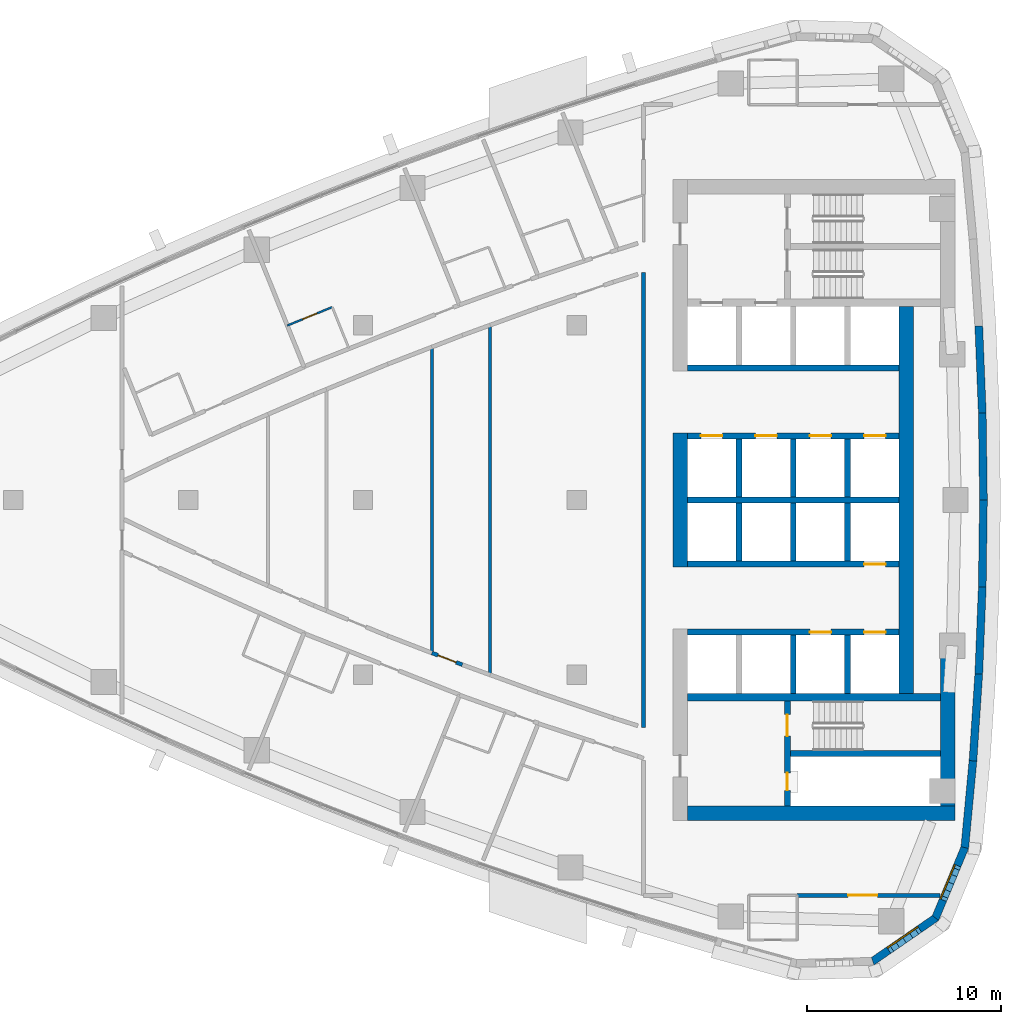
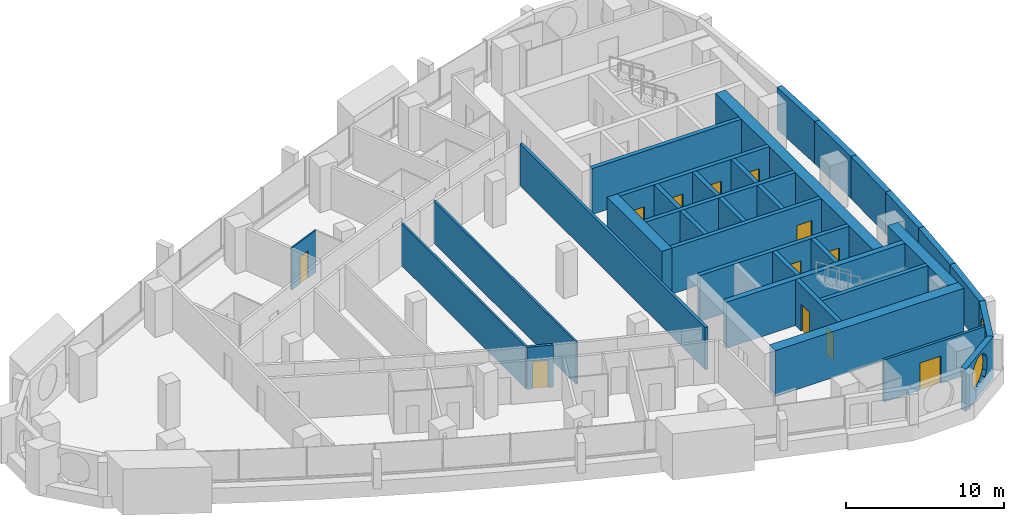
# One storey, part 11 of 17: 34 walls, 12 doors, 2 windows, 14 openings.
"""IFC4 building model written with IfcOpenShell, lengths in metres."""

import ifcopenshell
import ifcopenshell.guid

model = None  # the IFC model being written
_history = None  # IfcOwnerHistory: only IFC2X3 demands one
_inside = {}  # id of a spatial element -> (the spatial element, [elements in it])
_under = {}  # id of a project, library or spatial element -> (it, [spatial elements below it])
_declared = {}  # id of a project -> (the project, [libraries it declares])
_typed = {}  # id of a type object -> (the type object, [elements of that type])
_made_of = {}  # id of a material, layer set ... -> (it, [elements and type objects made of it])


def new_model(schema):
    """Start an empty IFC model of exactly this schema.

    Asked for "IFC4X3", IfcOpenShell would pick the latest addendum, in which some entities
    have other attributes; the version numbers below select the first issue.
    IFC2X3 requires an IfcOwnerHistory on every rooted entity: one is made here for all.
    """
    global model, _history
    if schema == "IFC4X3":
        model = ifcopenshell.file(schema_version=(4, 3, 0, 0))
    else:
        model = ifcopenshell.file(schema=schema)
    _inside.clear()
    _under.clear()
    _declared.clear()
    _typed.clear()
    _made_of.clear()
    _history = None
    if model.schema == "IFC2X3":
        org = make("IfcOrganization", Name="unknown")
        user = make(
            "IfcPersonAndOrganization",
            ThePerson=make("IfcPerson", FamilyName="unknown"),
            TheOrganization=org,
        )
        app = make(
            "IfcApplication",
            ApplicationDeveloper=org,
            Version="unknown",
            ApplicationFullName="unknown",
            ApplicationIdentifier="unknown",
        )
        _history = make(
            "IfcOwnerHistory",
            OwningUser=user,
            OwningApplication=app,
            ChangeAction="ADDED",
            CreationDate=0,
        )
    return model


def make(cls, **values):
    """One entity of the class cls with the attributes given. An attribute that is None is left unset."""
    return model.create_entity(
        cls, **{name: value for name, value in values.items() if value is not None}
    )


def rooted(cls, **values):
    """An entity with a GlobalId (a new one), such as an element, a storey or a relation."""
    return make(cls, GlobalId=ifcopenshell.guid.new(), OwnerHistory=_history, **values)


def si_unit(unit_type, name, prefix=None):
    """IfcSIUnit, for example si_unit("LENGTHUNIT", "METRE", prefix="MILLI")."""
    return make("IfcSIUnit", UnitType=unit_type, Prefix=prefix, Name=name)


def assignment(units):
    """IfcUnitAssignment: the units of a project."""
    return None if units is None else make("IfcUnitAssignment", Units=units)


def point(xyz):
    """IfcCartesianPoint."""
    return None if xyz is None else make("IfcCartesianPoint", Coordinates=xyz)


def direction(xyz):
    """IfcDirection."""
    return None if xyz is None else make("IfcDirection", DirectionRatios=xyz)


def frame(location, z_axis=None, x_axis=None):
    """IfcAxis2Placement3D, a coordinate frame: its origin and axes. An axis left out is left unset."""
    return make(
        "IfcAxis2Placement3D",
        Location=point(location),
        Axis=direction(z_axis),
        RefDirection=direction(x_axis),
    )


def frame_2d(location, x_axis=None):
    """IfcAxis2Placement2D, a coordinate frame in the plane: its origin and x axis."""
    return make(
        "IfcAxis2Placement2D", Location=point(location), RefDirection=direction(x_axis)
    )


def origin():
    """The frame at (0, 0, 0) with its axes left unset."""
    return frame((0.0, 0.0, 0.0))


def place(relative_to, where):
    """IfcLocalPlacement: puts the frame where relative to a parent placement (None: the world)."""
    return make(
        "IfcLocalPlacement", PlacementRelTo=relative_to, RelativePlacement=where
    )


def context(
    kind, dimensions, precision=None, world=None, true_north=None, identifier=None
):
    """IfcGeometricRepresentationContext, for example the 3D "Model" context."""
    return make(
        "IfcGeometricRepresentationContext",
        ContextIdentifier=identifier,
        ContextType=kind,
        CoordinateSpaceDimension=dimensions,
        Precision=precision,
        WorldCoordinateSystem=world,
        TrueNorth=true_north,
    )


def subcontext(parent, identifier, kind, view, scale=None):
    """IfcGeometricRepresentationSubContext, for example "Body" below "Model"."""
    return make(
        "IfcGeometricRepresentationSubContext",
        ContextIdentifier=identifier,
        ContextType=kind,
        ParentContext=parent,
        TargetScale=scale,
        TargetView=view,
    )


def project(units=None, contexts=None):
    """IfcProject with its units and contexts."""
    return rooted(
        "IfcProject",
        Name="project",
        RepresentationContexts=contexts,
        UnitsInContext=assignment(units),
    )


def spatial(cls, under=None, at=None, **own):
    """A site, building, storey or space (cls), placed at a placement, below another one or the project."""
    s = rooted(cls, ObjectPlacement=at, **own)
    if under is not None:
        _under.setdefault(under.id(), (under, []))[1].append(s)
    return s


def polyline(points):
    """IfcPolyline through the points."""
    return make("IfcPolyline", Points=[point(p) for p in points])


def profile(cls, at=None, kind="AREA", **sizes):
    """A parametric profile (cls). Its sizes go by their IFC names, for example OverallWidth=200.0."""
    return make(cls, ProfileType=kind, Position=at, **sizes)


def rectangle(**sizes):
    """IfcRectangleProfileDef."""
    return profile("IfcRectangleProfileDef", **sizes)


def outline(outer, holes=None, kind="AREA"):
    """IfcArbitraryClosedProfileDef: a profile drawn as a closed curve; with holes, ...WithVoids."""
    if holes is None:
        return make("IfcArbitraryClosedProfileDef", ProfileType=kind, OuterCurve=outer)
    return make(
        "IfcArbitraryProfileDefWithVoids",
        ProfileType=kind,
        OuterCurve=outer,
        InnerCurves=holes,
    )


def extrude(swept, where, along, depth):
    """IfcExtrudedAreaSolid: the profile swept, set in the frame where, extruded along a direction by depth."""
    return make(
        "IfcExtrudedAreaSolid",
        SweptArea=swept,
        Position=where,
        ExtrudedDirection=direction(along),
        Depth=depth,
    )


def shape(context_of_items, identifier, shape_type, items):
    """IfcShapeRepresentation: the items that make up one representation, for example the "Body"."""
    return make(
        "IfcShapeRepresentation",
        ContextOfItems=context_of_items,
        RepresentationIdentifier=identifier,
        RepresentationType=shape_type,
        Items=items,
    )


def material(Name=None, Category=None):
    """IfcMaterial."""
    return make("IfcMaterial", Name=Name, Category=Category)


def layer(
    of_material, thickness, ventilated=None, Name=None, Category=None, Priority=None
):
    """IfcMaterialLayer: one layer of a wall or slab, of a material (None: an air gap)."""
    return make(
        "IfcMaterialLayer",
        Material=of_material,
        LayerThickness=thickness,
        IsVentilated=ventilated,
        Name=Name,
        Category=Category,
        Priority=Priority,
    )


def layer_set(layers, Name=None):
    """IfcMaterialLayerSet."""
    return make("IfcMaterialLayerSet", MaterialLayers=layers, LayerSetName=Name)


def made_of(thing, what):
    """Note that an element or type object is made of a material, layer set ...; save() writes the relation."""
    if what is not None:
        _made_of.setdefault(what.id(), (what, []))[1].append(thing)
    return thing


def type_object(cls, material=None, **own):
    """A type object (cls), such as IfcWallType, which elements share."""
    return made_of(rooted(cls, **own), material)


def element(
    cls,
    number,
    at=None,
    inside=None,
    cuts=None,
    type_object=None,
    material=None,
    context=None,
    identifier="Body",
    shape_type=None,
    held_by="IfcProductDefinitionShape",
    body=None,
    shapes=None,
    **own,
):
    """One element of the class cls, such as IfcWall. Its Tag is "e" and its number.

    at: its placement. inside: the storey or other place that contains it. cuts: it is an
    opening in that element (IfcRelVoidsElement). A single representation is given by context,
    identifier, shape_type and body (its items); several are given by shapes. held_by: the class
    of the entity that holds the representations. save() writes the other relations.
    """
    e = rooted(cls, Tag="e%d" % number, ObjectPlacement=at, **own)
    if body is not None:
        shapes = [shape(context, identifier, shape_type, body)]
    if shapes is not None:
        e.Representation = make(held_by, Representations=shapes)
    if inside is not None:
        _inside.setdefault(inside.id(), (inside, []))[1].append(e)
    if cuts is not None:
        rooted(
            "IfcRelVoidsElement", RelatingBuildingElement=cuts, RelatedOpeningElement=e
        )
    if type_object is not None:
        _typed.setdefault(type_object.id(), (type_object, []))[1].append(e)
    return made_of(e, material)


def fill(opening, filler):
    """IfcRelFillsElement: the door or window that sits in an opening."""
    return rooted(
        "IfcRelFillsElement",
        RelatingOpeningElement=opening,
        RelatedBuildingElement=filler,
    )


def aggregate(whole, parts):
    """IfcRelAggregates: a whole, such as a stair, and the parts it consists of."""
    return rooted("IfcRelAggregates", RelatingObject=whole, RelatedObjects=parts)


def save(model, path):
    """Write the relations noted so far, then the file.

    IfcRelAggregates (storeys below a building ...), IfcRelContainedInSpatialStructure (elements
    in a storey), IfcRelDefinesByType, IfcRelAssociatesMaterial and IfcRelDeclares: one each for
    every whole, place, type object, material and project.
    """
    for whole, parts in _under.values():
        aggregate(whole, parts)
    for where, things in _inside.values():
        rooted(
            "IfcRelContainedInSpatialStructure",
            RelatedElements=things,
            RelatingStructure=where,
        )
    for kind, things in _typed.values():
        rooted("IfcRelDefinesByType", RelatedObjects=things, RelatingType=kind)
    for what, things in _made_of.values():
        rooted("IfcRelAssociatesMaterial", RelatedObjects=things, RelatingMaterial=what)
    for by, libraries in _declared.values():
        rooted("IfcRelDeclares", RelatingContext=by, RelatedDefinitions=libraries)
    model.write(path)


model = new_model("IFC4")

# Units and contexts
model_context = context("Model", 3, precision=1e-05, world=origin(), true_north=direction((0.0, 1.0)))
body_context = subcontext(model_context, "Body", "Model", "MODEL_VIEW")
ifc_project = project(units=[si_unit("LENGTHUNIT", "METRE"), si_unit("AREAUNIT", "SQUARE_METRE"), si_unit("VOLUMEUNIT", "CUBIC_METRE"), si_unit("PLANEANGLEUNIT", "RADIAN"), si_unit("MASSUNIT", "GRAM", prefix="KILO")], contexts=[model_context])

# Site, building, storey
site_placement = place(None, origin())
site = spatial("IfcSite", under=ifc_project, at=site_placement, CompositionType="ELEMENT")
building_placement = place(site_placement, origin())
building = spatial("IfcBuilding", under=site, at=building_placement, Name="Ostrand Prow Hotel Tower", CompositionType="ELEMENT")
storey_placement = place(building_placement, frame((0.0, 0.0, 175.5)))
storey = spatial("IfcBuildingStorey", under=building, at=storey_placement, Name="L43", CompositionType="ELEMENT", Elevation=175.5)

# Wall
ifc_material_1 = material(Name="Concrete C60/75", Category="concrete")
ifc_layer_1 = layer(ifc_material_1, 0.300048828125)
ifc_layer_set_1 = layer_set([ifc_layer_1], Name="Concrete C60/75")
wall_type_1 = type_object("IfcWallType", Name="Core wall 300 C60/75", PredefinedType="SHEAR", material=ifc_layer_set_1)
wall_1_placement = place(storey_placement, frame((50.699951171875, 0.0, 0.0), z_axis=(0.0, 0.0, 1.0), x_axis=(1.0, 0.0, 0.0)))
element("IfcWall", 1, at=wall_1_placement, inside=storey, type_object=wall_type_1, Name="Core wall PW-C", PredefinedType="SHEAR", context=body_context, shape_type="SweptSolid", body=[
    extrude(rectangle(XDim=10.900146484375, YDim=0.300048828125, at=frame_2d((5.4501953125, 0.0))), origin(), (0.0, 0.0, 1.0), 3.550048828125),
])

# Wall, openings, doors
wall_2_placement = place(storey_placement, frame((50.699951171875, 3.300048828125, 0.0), z_axis=(0.0, 0.0, 1.0), x_axis=(1.0, 0.0, 0.0)))
wall_2 = element("IfcWall", 2, at=wall_2_placement, inside=storey, type_object=wall_type_1, Name="Core wall PW-L1-N", PredefinedType="SHEAR", context=body_context, shape_type="SweptSolid", body=[
    extrude(rectangle(XDim=10.900146484375, YDim=0.300048828125, at=frame_2d((5.4501953125, 0.0))), origin(), (0.0, 0.0, 1.0), 3.550048828125),
])
opening_1_placement = place(wall_2_placement, frame((0.699951171875, 0.0, 0.0)))
opening_1 = element("IfcOpeningElement", 3, at=opening_1_placement, cuts=wall_2, Name="Opening LD", PredefinedType="OPENING", context=body_context, shape_type="SweptSolid", body=[
    extrude(rectangle(XDim=1.10009765625, YDim=2.10009765625, at=frame_2d((0.550048828125, 1.050048828125))), frame((0.0, 0.159912109375, 0.0), z_axis=(0.0, -1.0, 0.0), x_axis=(1.0, 0.0, 0.0)), (0.0, 0.0, 1.0), 0.320068359375),
])
opening_2_placement = place(wall_2_placement, frame((3.5, 0.0, 0.0)))
opening_2 = element("IfcOpeningElement", 4, at=opening_2_placement, cuts=wall_2, Name="Opening LD", PredefinedType="OPENING", context=body_context, shape_type="SweptSolid", body=[
    extrude(rectangle(XDim=1.10009765625, YDim=2.10009765625, at=frame_2d((0.550048828125, 1.050048828125))), frame((0.0, 0.159912109375, 0.0), z_axis=(0.0, -1.0, 0.0), x_axis=(1.0, 0.0, 0.0)), (0.0, 0.0, 1.0), 0.320068359375),
])
opening_3_placement = place(wall_2_placement, frame((6.300048828125, 0.0, 0.0)))
opening_3 = element("IfcOpeningElement", 5, at=opening_3_placement, cuts=wall_2, Name="Opening LD", PredefinedType="OPENING", context=body_context, shape_type="SweptSolid", body=[
    extrude(rectangle(XDim=1.10009765625, YDim=2.10009765625, at=frame_2d((0.550048828125, 1.050048828125))), frame((0.0, 0.159912109375, 0.0), z_axis=(0.0, -1.0, 0.0), x_axis=(1.0, 0.0, 0.0)), (0.0, 0.0, 1.0), 0.320068359375),
])
opening_4_placement = place(wall_2_placement, frame((9.10009765625, 0.0, 0.0)))
opening_4 = element("IfcOpeningElement", 6, at=opening_4_placement, cuts=wall_2, Name="Opening LD", PredefinedType="OPENING", context=body_context, shape_type="SweptSolid", body=[
    extrude(rectangle(XDim=1.10009765625, YDim=2.10009765625, at=frame_2d((0.550048828125, 1.050048828125))), frame((0.0, 0.159912109375, 0.0), z_axis=(0.0, -1.0, 0.0), x_axis=(1.0, 0.0, 0.0)), (0.0, 0.0, 1.0), 0.320068359375),
])
ifc_material_2 = material(Name="Stainless steel door", Category="steel")
door_type_1 = type_object("IfcDoorType", Name="Lift landing door 1100", OperationType="DOUBLE_DOOR_SLIDING", PredefinedType="DOOR", material=ifc_material_2)
door_1_placement = place(opening_1_placement, origin())
door_1 = element("IfcDoor", 7, at=door_1_placement, inside=storey, type_object=door_type_1, Name="LIFT LANDING DOOR", OperationType="DOUBLE_DOOR_SLIDING", OverallHeight=2.10009765625, OverallWidth=1.10009765625, PredefinedType="DOOR", context=body_context, shape_type="SweptSolid", body=[
    extrude(rectangle(XDim=1.10009765625, YDim=2.10009765625, at=frame_2d((0.550048828125, 1.050048828125))), frame((0.0, 0.02490234375, 0.0), z_axis=(0.0, -1.0, 0.0), x_axis=(1.0, 0.0, 0.0)), (0.0, 0.0, 1.0), 0.050048828125),
])
fill(opening_1, door_1)
door_2_placement = place(opening_2_placement, origin())
door_2 = element("IfcDoor", 8, at=door_2_placement, inside=storey, type_object=door_type_1, Name="LIFT LANDING DOOR", OperationType="DOUBLE_DOOR_SLIDING", OverallHeight=2.10009765625, OverallWidth=1.10009765625, PredefinedType="DOOR", context=body_context, shape_type="SweptSolid", body=[
    extrude(rectangle(XDim=1.10009765625, YDim=2.10009765625, at=frame_2d((0.550048828125, 1.050048828125))), frame((0.0, 0.02490234375, 0.0), z_axis=(0.0, -1.0, 0.0), x_axis=(1.0, 0.0, 0.0)), (0.0, 0.0, 1.0), 0.050048828125),
])
fill(opening_2, door_2)
door_3_placement = place(opening_3_placement, origin())
door_3 = element("IfcDoor", 9, at=door_3_placement, inside=storey, type_object=door_type_1, Name="LIFT LANDING DOOR", OperationType="DOUBLE_DOOR_SLIDING", OverallHeight=2.10009765625, OverallWidth=1.10009765625, PredefinedType="DOOR", context=body_context, shape_type="SweptSolid", body=[
    extrude(rectangle(XDim=1.10009765625, YDim=2.10009765625, at=frame_2d((0.550048828125, 1.050048828125))), frame((0.0, 0.02490234375, 0.0), z_axis=(0.0, -1.0, 0.0), x_axis=(1.0, 0.0, 0.0)), (0.0, 0.0, 1.0), 0.050048828125),
])
fill(opening_3, door_3)
door_4_placement = place(opening_4_placement, origin())
door_4 = element("IfcDoor", 10, at=door_4_placement, inside=storey, type_object=door_type_1, Name="LIFT LANDING DOOR", OperationType="DOUBLE_DOOR_SLIDING", OverallHeight=2.10009765625, OverallWidth=1.10009765625, PredefinedType="DOOR", context=body_context, shape_type="SweptSolid", body=[
    extrude(rectangle(XDim=1.10009765625, YDim=2.10009765625, at=frame_2d((0.550048828125, 1.050048828125))), frame((0.0, 0.02490234375, 0.0), z_axis=(0.0, -1.0, 0.0), x_axis=(1.0, 0.0, 0.0)), (0.0, 0.0, 1.0), 0.050048828125),
])
fill(opening_4, door_4)

# Walls
wall_3_placement = place(storey_placement, frame((50.699951171875, 6.800048828125, 0.0), z_axis=(0.0, 0.0, 1.0), x_axis=(1.0, 0.0, 0.0)))
element("IfcWall", 11, at=wall_3_placement, inside=storey, type_object=wall_type_1, Name="Core wall PW-L2-N", PredefinedType="SHEAR", context=body_context, shape_type="SweptSolid", body=[
    extrude(rectangle(XDim=10.900146484375, YDim=0.300048828125, at=frame_2d((5.4501953125, 0.0))), origin(), (0.0, 0.0, 1.0), 3.550048828125),
])
for number, where, z_axis, x_axis, name in (
    (12, (53.35009765625, 0.14990234375, 0.0), (0.0, 0.0, 1.0), (0.0, 1.0, 0.0), "Core wall PW-R1-NB"),
    (13, (56.14990234375, 0.14990234375, 0.0), (0.0, 0.0, 1.0), (0.0, 1.0, 0.0), "Core wall PW-R2-NB"),
    (14, (58.949951171875, 0.14990234375, 0.0), (0.0, 0.0, 1.0), (0.0, 1.0, 0.0), "Core wall PW-R3-NB"),
):
    element("IfcWall", number, at=place(storey_placement, frame(where, z_axis=z_axis, x_axis=x_axis)), inside=storey, type_object=wall_type_1, Name=name, PredefinedType="SHEAR", context=body_context, shape_type="SweptSolid", body=[
        extrude(rectangle(XDim=3.0, YDim=0.300048828125, at=frame_2d((1.5, 0.0))), origin(), (0.0, 0.0, 1.0), 3.550048828125),
    ])

# Wall, opening, door
wall_4_placement = place(storey_placement, frame((50.699951171875, -3.300048828125, 0.0), z_axis=(0.0, 0.0, 1.0), x_axis=(1.0, 0.0, 0.0)))
wall_4 = element("IfcWall", 15, at=wall_4_placement, inside=storey, type_object=wall_type_1, Name="Core wall PW-L1-S", PredefinedType="SHEAR", context=body_context, shape_type="SweptSolid", body=[
    extrude(rectangle(XDim=10.900146484375, YDim=0.300048828125, at=frame_2d((5.4501953125, 0.0))), origin(), (0.0, 0.0, 1.0), 3.550048828125),
])
opening_5_placement = place(wall_4_placement, frame((9.10009765625, 0.0, 0.0)))
opening_5 = element("IfcOpeningElement", 16, at=opening_5_placement, cuts=wall_4, Name="Opening LD", PredefinedType="OPENING", context=body_context, shape_type="SweptSolid", body=[
    extrude(rectangle(XDim=1.10009765625, YDim=2.10009765625, at=frame_2d((0.550048828125, 1.050048828125))), frame((0.0, 0.159912109375, 0.0), z_axis=(0.0, -1.0, 0.0), x_axis=(1.0, 0.0, 0.0)), (0.0, 0.0, 1.0), 0.320068359375),
])
door_5_placement = place(opening_5_placement, origin())
door_5 = element("IfcDoor", 17, at=door_5_placement, inside=storey, type_object=door_type_1, Name="LIFT LANDING DOOR", OperationType="DOUBLE_DOOR_SLIDING", OverallHeight=2.10009765625, OverallWidth=1.10009765625, PredefinedType="DOOR", context=body_context, shape_type="SweptSolid", body=[
    extrude(rectangle(XDim=1.10009765625, YDim=2.10009765625, at=frame_2d((0.550048828125, 1.050048828125))), frame((0.0, 0.02490234375, 0.0), z_axis=(0.0, -1.0, 0.0), x_axis=(1.0, 0.0, 0.0)), (0.0, 0.0, 1.0), 0.050048828125),
])
fill(opening_5, door_5)

# Wall, openings, doors
wall_5_placement = place(storey_placement, frame((50.699951171875, -6.800048828125, 0.0), z_axis=(0.0, 0.0, 1.0), x_axis=(1.0, 0.0, 0.0)))
wall_5 = element("IfcWall", 18, at=wall_5_placement, inside=storey, type_object=wall_type_1, Name="Core wall PW-L2-S", PredefinedType="SHEAR", context=body_context, shape_type="SweptSolid", body=[
    extrude(rectangle(XDim=10.900146484375, YDim=0.300048828125, at=frame_2d((5.4501953125, 0.0))), origin(), (0.0, 0.0, 1.0), 3.550048828125),
])
opening_6_placement = place(wall_5_placement, frame((6.300048828125, 0.0, 0.0)))
opening_6 = element("IfcOpeningElement", 19, at=opening_6_placement, cuts=wall_5, Name="Opening LD", PredefinedType="OPENING", context=body_context, shape_type="SweptSolid", body=[
    extrude(rectangle(XDim=1.10009765625, YDim=2.10009765625, at=frame_2d((0.550048828125, 1.050048828125))), frame((0.0, 0.159912109375, 0.0), z_axis=(0.0, -1.0, 0.0), x_axis=(1.0, 0.0, 0.0)), (0.0, 0.0, 1.0), 0.320068359375),
])
opening_7_placement = place(wall_5_placement, frame((9.10009765625, 0.0, 0.0)))
opening_7 = element("IfcOpeningElement", 20, at=opening_7_placement, cuts=wall_5, Name="Opening LD", PredefinedType="OPENING", context=body_context, shape_type="SweptSolid", body=[
    extrude(rectangle(XDim=1.10009765625, YDim=2.10009765625, at=frame_2d((0.550048828125, 1.050048828125))), frame((0.0, 0.159912109375, 0.0), z_axis=(0.0, -1.0, 0.0), x_axis=(1.0, 0.0, 0.0)), (0.0, 0.0, 1.0), 0.320068359375),
])
door_6_placement = place(opening_6_placement, origin())
door_6 = element("IfcDoor", 21, at=door_6_placement, inside=storey, type_object=door_type_1, Name="LIFT LANDING DOOR", OperationType="DOUBLE_DOOR_SLIDING", OverallHeight=2.10009765625, OverallWidth=1.10009765625, PredefinedType="DOOR", context=body_context, shape_type="SweptSolid", body=[
    extrude(rectangle(XDim=1.10009765625, YDim=2.10009765625, at=frame_2d((0.550048828125, 1.050048828125))), frame((0.0, 0.02490234375, 0.0), z_axis=(0.0, -1.0, 0.0), x_axis=(1.0, 0.0, 0.0)), (0.0, 0.0, 1.0), 0.050048828125),
])
fill(opening_6, door_6)
door_7_placement = place(opening_7_placement, origin())
door_7 = element("IfcDoor", 22, at=door_7_placement, inside=storey, type_object=door_type_1, Name="LIFT LANDING DOOR", OperationType="DOUBLE_DOOR_SLIDING", OverallHeight=2.10009765625, OverallWidth=1.10009765625, PredefinedType="DOOR", context=body_context, shape_type="SweptSolid", body=[
    extrude(rectangle(XDim=1.10009765625, YDim=2.10009765625, at=frame_2d((0.550048828125, 1.050048828125))), frame((0.0, 0.02490234375, 0.0), z_axis=(0.0, -1.0, 0.0), x_axis=(1.0, 0.0, 0.0)), (0.0, 0.0, 1.0), 0.050048828125),
])
fill(opening_7, door_7)

# Walls
for number, where, z_axis, x_axis, name in (
    (23, (53.35009765625, -3.14990234375, 0.0), (0.0, 0.0, 1.0), (0.0, 1.0, 0.0), "Core wall PW-R1-SB"),
    (24, (56.14990234375, -3.14990234375, 0.0), (0.0, 0.0, 1.0), (0.0, 1.0, 0.0), "Core wall PW-R2-SB"),
    (25, (56.14990234375, -9.949951171875, 0.0), (0.0, 0.0, 1.0), (0.0, 1.0, 0.0), "Core wall PW-R2-SA"),
    (26, (58.949951171875, -3.14990234375, 0.0), (0.0, 0.0, 1.0), (0.0, 1.0, 0.0), "Core wall PW-R3-SB"),
    (27, (58.949951171875, -9.949951171875, 0.0), (0.0, 0.0, 1.0), (0.0, 1.0, 0.0), "Core wall PW-R3-SA"),
):
    element("IfcWall", number, at=place(storey_placement, frame(where, z_axis=z_axis, x_axis=x_axis)), inside=storey, type_object=wall_type_1, Name=name, PredefinedType="SHEAR", context=body_context, shape_type="SweptSolid", body=[
        extrude(rectangle(XDim=3.0, YDim=0.300048828125, at=frame_2d((1.5, 0.0))), origin(), (0.0, 0.0, 1.0), 3.550048828125),
    ])

# Wall, openings, doors
wall_6_placement = place(storey_placement, frame((55.85009765625, -15.75, 0.0), z_axis=(0.0, 0.0, 1.0), x_axis=(0.0, 1.0, 0.0)))
wall_6 = element("IfcWall", 28, at=wall_6_placement, inside=storey, type_object=wall_type_1, Name="Core wall PW-VS", PredefinedType="SHEAR", context=body_context, shape_type="SweptSolid", body=[
    extrude(rectangle(XDim=5.39990234375, YDim=0.300048828125, at=frame_2d((2.699951171875, 0.0))), origin(), (0.0, 0.0, 1.0), 3.550048828125),
])
opening_8_placement = place(wall_6_placement, frame((3.60009765625, 0.0, 0.0)))
opening_8 = element("IfcOpeningElement", 29, at=opening_8_placement, cuts=wall_6, Name="Opening FD1", PredefinedType="OPENING", context=body_context, shape_type="SweptSolid", body=[
    extrude(rectangle(XDim=1.10009765625, YDim=2.10009765625, at=frame_2d((0.550048828125, 1.050048828125))), frame((0.0, 0.159912109375, 0.0), z_axis=(0.0, -1.0, 0.0), x_axis=(1.0, 0.0, 0.0)), (0.0, 0.0, 1.0), 0.320068359375),
])
opening_9_placement = place(wall_6_placement, frame((0.800048828125, 0.0, 0.0)))
opening_9 = element("IfcOpeningElement", 30, at=opening_9_placement, cuts=wall_6, Name="Opening FD2", PredefinedType="OPENING", context=body_context, shape_type="SweptSolid", body=[
    extrude(rectangle(XDim=0.89990234375, YDim=2.10009765625, at=frame_2d((0.449951171875, 1.050048828125))), frame((0.0, 0.159912109375, 0.0), z_axis=(0.0, -1.0, 0.0), x_axis=(1.0, 0.0, 0.0)), (0.0, 0.0, 1.0), 0.320068359375),
])
ifc_material_3 = material(Name="Steel fire door", Category="steel")
door_type_2 = type_object("IfcDoorType", Name="Fire door 1100 EI120", OperationType="SINGLE_SWING_RIGHT", PredefinedType="DOOR", material=ifc_material_3)
door_8_placement = place(opening_8_placement, origin())
door_8 = element("IfcDoor", 31, at=door_8_placement, inside=storey, type_object=door_type_2, Name="FIRE DOOR", OperationType="SINGLE_SWING_RIGHT", OverallHeight=2.10009765625, OverallWidth=1.10009765625, PredefinedType="DOOR", context=body_context, shape_type="SweptSolid", body=[
    extrude(rectangle(XDim=1.10009765625, YDim=2.10009765625, at=frame_2d((0.550048828125, 1.050048828125))), frame((0.0, 0.02490234375, 0.0), z_axis=(0.0, -1.0, 0.0), x_axis=(1.0, 0.0, 0.0)), (0.0, 0.0, 1.0), 0.050048828125),
])
fill(opening_8, door_8)
ifc_material_4 = material(Name="Steel fire door", Category="steel")
door_type_3 = type_object("IfcDoorType", Name="Fire door 900 EI120", OperationType="SINGLE_SWING_LEFT", PredefinedType="DOOR", material=ifc_material_4)
door_9_placement = place(opening_9_placement, origin())
door_9 = element("IfcDoor", 32, at=door_9_placement, inside=storey, type_object=door_type_3, Name="FIRE DOOR", OperationType="SINGLE_SWING_LEFT", OverallHeight=2.10009765625, OverallWidth=0.89990234375, PredefinedType="DOOR", context=body_context, shape_type="SweptSolid", body=[
    extrude(rectangle(XDim=0.89990234375, YDim=2.10009765625, at=frame_2d((0.449951171875, 1.050048828125))), frame((0.0, 0.02490234375, 0.0), z_axis=(0.0, -1.0, 0.0), x_axis=(1.0, 0.0, 0.0)), (0.0, 0.0, 1.0), 0.050048828125),
])
fill(opening_9, door_9)

# Walls
wall_7_placement = place(storey_placement, frame((56.0, -13.050048828125, 0.0), z_axis=(0.0, 0.0, 1.0), x_axis=(1.0, 0.0, 0.0)))
element("IfcWall", 33, at=wall_7_placement, inside=storey, type_object=wall_type_1, Name="Core wall PW-ST2R", PredefinedType="SHEAR", context=body_context, shape_type="SweptSolid", body=[
    extrude(rectangle(XDim=7.719970703125, YDim=0.300048828125, at=frame_2d((3.85986328125, 0.0))), origin(), (0.0, 0.0, 1.0), 3.550048828125),
])
ifc_material_5 = material(Name="Concrete C60/75", Category="concrete")
ifc_layer_2 = layer(ifc_material_5, 0.39990234375)
ifc_layer_set_2 = layer_set([ifc_layer_2], Name="Concrete C60/75")
wall_type_2 = type_object("IfcWallType", Name="Core wall 400 C60/75", PredefinedType="SHEAR", material=ifc_layer_set_2)
wall_8_placement = place(storey_placement, frame((50.699951171875, -10.14990234375, 0.0), z_axis=(0.0, 0.0, 1.0), x_axis=(1.0, 0.0, 0.0)))
element("IfcWall", 34, at=wall_8_placement, inside=storey, type_object=wall_type_2, Name="Core wall PW-BS", PredefinedType="SHEAR", context=body_context, shape_type="SweptSolid", body=[
    extrude(rectangle(XDim=13.02001953125, YDim=0.39990234375, at=frame_2d((6.510009765625, 0.0))), origin(), (0.0, 0.0, 1.0), 3.550048828125),
])
ifc_material_6 = material(Name="Concrete C60/75", Category="concrete")
ifc_layer_3 = layer(ifc_material_6, 0.75)
ifc_layer_set_3 = layer_set([ifc_layer_3], Name="Concrete C60/75")
wall_type_3 = type_object("IfcWallType", Name="Core wall 750 C60/75", PredefinedType="SHEAR", material=ifc_layer_set_3)
wall_9_placement = place(storey_placement, frame((50.324951171875, -3.449951171875, 0.0), z_axis=(0.0, 0.0, 1.0), x_axis=(0.0, 1.0, 0.0)))
element("IfcWall", 35, at=wall_9_placement, inside=storey, type_object=wall_type_3, Name="Core wall CW-W-C", PredefinedType="SHEAR", context=body_context, shape_type="SweptSolid", body=[
    extrude(rectangle(XDim=6.89990234375, YDim=0.75, at=frame_2d((3.449951171875, 0.0))), origin(), (0.0, 0.0, 1.0), 3.550048828125),
])
wall_10_placement = place(storey_placement, frame((50.699951171875, -16.125, 0.0), z_axis=(0.0, 0.0, 1.0), x_axis=(1.0, 0.0, 0.0)))
element("IfcWall", 36, at=wall_10_placement, inside=storey, type_object=wall_type_3, Name="Core wall CW-S", PredefinedType="SHEAR", context=body_context, shape_type="SweptSolid", body=[
    extrude(rectangle(XDim=13.77001953125, YDim=0.75, at=frame_2d((6.885009765625, 0.0))), origin(), (0.0, 0.0, 1.0), 3.550048828125),
])
wall_11_placement = place(storey_placement, frame((64.094970703125, -15.75, 0.0), z_axis=(0.0, 0.0, 1.0), x_axis=(0.0, 1.0, 0.0)))
element("IfcWall", 37, at=wall_11_placement, inside=storey, type_object=wall_type_3, Name="Core wall CW-E-S", PredefinedType="SHEAR", context=body_context, shape_type="SweptSolid", body=[
    extrude(rectangle(XDim=7.65087890625, YDim=0.75, at=frame_2d((3.825439453125, 0.0))), origin(), (0.0, 0.0, 1.0), 3.550048828125),
])
wall_12_placement = place(storey_placement, frame((61.97509765625, -9.949951171875, 0.0), z_axis=(0.0, 0.0, 1.0), x_axis=(0.0, 1.0, 0.0)))
element("IfcWall", 38, at=wall_12_placement, inside=storey, type_object=wall_type_3, Name="Core wall CW-E-C", PredefinedType="SHEAR", context=body_context, shape_type="SweptSolid", body=[
    extrude(rectangle(XDim=19.89990234375, YDim=0.75, at=frame_2d((9.949951171875, 0.0))), origin(), (0.0, 0.0, 1.0), 3.550048828125),
])

# Wall, opening, door
ifc_material_7 = material(Name="Plasterboard partition")
ifc_layer_4 = layer(ifc_material_7, 0.10009765625)
ifc_layer_set_4 = layer_set([ifc_layer_4], Name="Plasterboard partition")
wall_type_4 = type_object("IfcWallType", Name="Partition 100 bathroom wall", PredefinedType="PARTITIONING", material=ifc_layer_set_4)
wall_13_placement = place(storey_placement, frame((30.10546875, 8.98095703125, 0.0), z_axis=(0.0, 0.0, 1.0), x_axis=(0.92519499486, 0.379492057212, 0.0)))
wall_13 = element("IfcWall", 39, at=wall_13_placement, inside=storey, type_object=wall_type_4, Name="BATHROOM WALL", PredefinedType="PARTITIONING", context=body_context, shape_type="SweptSolid", body=[
    extrude(rectangle(XDim=2.5, YDim=0.10009765625, at=frame_2d((1.25, 0.0))), origin(), (0.0, 0.0, 1.0), 3.25),
])
opening_10_placement = place(wall_13_placement, frame((0.85009765625, 0.0, 0.0)))
opening_10 = element("IfcOpeningElement", 40, at=opening_10_placement, cuts=wall_13, Name="Opening D2", PredefinedType="OPENING", context=body_context, shape_type="SweptSolid", body=[
    extrude(rectangle(XDim=0.800048828125, YDim=2.10009765625, at=frame_2d((0.39990234375, 1.050048828125))), frame((0.0, 0.06005859375, 0.0), z_axis=(0.0, -1.0, 0.0), x_axis=(1.0, 0.0, 0.0)), (0.0, 0.0, 1.0), 0.1201171875),
])
ifc_material_8 = material(Name="Timber door leaf", Category="wood")
door_type_4 = type_object("IfcDoorType", Name="Bathroom door 800", OperationType="SINGLE_SWING_LEFT", PredefinedType="DOOR", material=ifc_material_8)
door_10_placement = place(opening_10_placement, origin())
door_10 = element("IfcDoor", 41, at=door_10_placement, inside=storey, type_object=door_type_4, Name="DOOR", OperationType="SINGLE_SWING_LEFT", OverallHeight=2.10009765625, OverallWidth=0.800048828125, PredefinedType="DOOR", context=body_context, shape_type="SweptSolid", body=[
    extrude(rectangle(XDim=0.800048828125, YDim=2.10009765625, at=frame_2d((0.39990234375, 1.050048828125))), frame((0.0, 0.02490234375, 0.0), z_axis=(0.0, -1.0, 0.0), x_axis=(1.0, 0.0, 0.0)), (0.0, 0.0, 1.0), 0.050048828125),
])
fill(opening_10, door_10)

# Walls
ifc_material_9 = material(Name="Plasterboard partition")
ifc_layer_5 = layer(ifc_material_9, 0.14990234375)
ifc_layer_set_5 = layer_set([ifc_layer_5], Name="Plasterboard partition")
wall_type_5 = type_object("IfcWallType", Name="Partition 150 room partition", PredefinedType="PARTITIONING", material=ifc_layer_set_5)
wall_14_placement = place(storey_placement, frame((37.546875, -7.872802734375, 0.0), z_axis=(0.0, 0.0, 1.0), x_axis=(0.0, 1.0, 0.0)))
element("IfcWall", 42, at=wall_14_placement, inside=storey, type_object=wall_type_5, Name="ROOM PARTITION", PredefinedType="PARTITIONING", context=body_context, shape_type="SweptSolid", body=[
    extrude(rectangle(XDim=15.74560546875, YDim=0.14990234375, at=frame_2d((7.872802734375, 0.0))), origin(), (0.0, 0.0, 1.0), 3.25),
])
wall_15_placement = place(storey_placement, frame((40.546875, -9.000244140625, 0.0), z_axis=(0.0, 0.0, 1.0), x_axis=(0.0, 1.0, 0.0)))
element("IfcWall", 43, at=wall_15_placement, inside=storey, type_object=wall_type_5, Name="ROOM PARTITION", PredefinedType="PARTITIONING", context=body_context, shape_type="SweptSolid", body=[
    extrude(rectangle(XDim=18.00048828125, YDim=0.14990234375, at=frame_2d((9.000244140625, 0.0))), origin(), (0.0, 0.0, 1.0), 3.25),
])

# Wall, opening, door
ifc_material_10 = material(Name="Plasterboard partition")
ifc_layer_6 = layer(ifc_material_10, 0.199951171875)
ifc_layer_set_6 = layer_set([ifc_layer_6], Name="Plasterboard partition")
wall_type_6 = type_object("IfcWallType", Name="Partition 200 corridor wall", PredefinedType="PARTITIONING", material=ifc_layer_set_6)
wall_16_placement = place(storey_placement, frame((39.115478515625, -8.4794921875, 0.0), z_axis=(0.0, 0.0, 1.0), x_axis=(-0.932670528514, 0.360729379511, 0.0)))
wall_16 = element("IfcWall", 44, at=wall_16_placement, inside=storey, type_object=wall_type_6, Name="CORRIDOR WALL", PredefinedType="PARTITIONING", context=body_context, shape_type="SweptSolid", body=[
    extrude(rectangle(XDim=1.681884765625, YDim=0.199951171875, at=frame_2d((0.8408203125, 0.0))), origin(), (0.0, 0.0, 1.0), 3.25),
])
opening_11_placement = place(wall_16_placement, frame((0.341064453125, 0.0, 0.0)))
opening_11 = element("IfcOpeningElement", 45, at=opening_11_placement, cuts=wall_16, Name="Opening D1", PredefinedType="OPENING", context=body_context, shape_type="SweptSolid", body=[
    extrude(rectangle(XDim=1.0, YDim=2.10009765625, at=frame_2d((0.5, 1.050048828125))), frame((0.0, 0.10986328125, 0.0), z_axis=(0.0, -1.0, 0.0), x_axis=(1.0, 0.0, 0.0)), (0.0, 0.0, 1.0), 0.219970703125),
])
ifc_material_11 = material(Name="Timber door leaf", Category="wood")
door_type_5 = type_object("IfcDoorType", Name="Guest room door 1000", OperationType="SINGLE_SWING_LEFT", PredefinedType="DOOR", material=ifc_material_11)
door_11_placement = place(opening_11_placement, origin())
door_11 = element("IfcDoor", 46, at=door_11_placement, inside=storey, type_object=door_type_5, Name="DOOR", OperationType="SINGLE_SWING_LEFT", OverallHeight=2.10009765625, OverallWidth=1.0, PredefinedType="DOOR", context=body_context, shape_type="SweptSolid", body=[
    extrude(rectangle(XDim=1.0, YDim=2.10009765625, at=frame_2d((0.5, 1.050048828125))), frame((0.0, 0.02490234375, 0.0), z_axis=(0.0, -1.0, 0.0), x_axis=(1.0, 0.0, 0.0)), (0.0, 0.0, 1.0), 0.050048828125),
])
fill(opening_11, door_11)

wall_17_placement = place(storey_placement, frame((56.35498046875, -20.35498046875, 0.0), z_axis=(0.0, 0.0, 1.0), x_axis=(1.0, 0.0, 0.0)))
wall_17 = element("IfcWall", 47, at=wall_17_placement, inside=storey, type_object=wall_type_6, Name="CORRIDOR WALL", PredefinedType="PARTITIONING", context=body_context, shape_type="SweptSolid", body=[
    extrude(rectangle(XDim=7.3544921875, YDim=0.199951171875, at=frame_2d((3.67724609375, 0.0))), origin(), (0.0, 0.0, 1.0), 3.25),
])
opening_12_placement = place(wall_17_placement, frame((2.623779296875, 0.0, 0.0)))
opening_12 = element("IfcOpeningElement", 48, at=opening_12_placement, cuts=wall_17, Name="Opening D15", PredefinedType="OPENING", context=body_context, shape_type="SweptSolid", body=[
    extrude(rectangle(XDim=1.5, YDim=2.10009765625, at=frame_2d((0.75, 1.050048828125))), frame((0.0, 0.10986328125, 0.0), z_axis=(0.0, -1.0, 0.0), x_axis=(1.0, 0.0, 0.0)), (0.0, 0.0, 1.0), 0.219970703125),
])
ifc_material_12 = material(Name="Timber door leaf", Category="wood")
door_type_6 = type_object("IfcDoorType", Name="Double door 1500", OperationType="DOUBLE_DOOR_SINGLE_SWING", PredefinedType="DOOR", material=ifc_material_12)
door_12_placement = place(opening_12_placement, origin())
door_12 = element("IfcDoor", 49, at=door_12_placement, inside=storey, type_object=door_type_6, Name="DOOR", OperationType="DOUBLE_DOOR_SINGLE_SWING", OverallHeight=2.10009765625, OverallWidth=1.5, PredefinedType="DOOR", context=body_context, shape_type="SweptSolid", body=[
    extrude(rectangle(XDim=1.5, YDim=2.10009765625, at=frame_2d((0.75, 1.050048828125))), frame((0.0, 0.02490234375, 0.0), z_axis=(0.0, -1.0, 0.0), x_axis=(1.0, 0.0, 0.0)), (0.0, 0.0, 1.0), 0.050048828125),
])
fill(opening_12, door_12)

# Wall
wall_18_placement = place(storey_placement, frame((48.445068359375, 11.7099609375, 0.0), z_axis=(0.0, 0.0, 1.0), x_axis=(0.0, -1.0, 0.0)))
element("IfcWall", 50, at=wall_18_placement, inside=storey, type_object=wall_type_6, Name="CORRIDOR WALL", PredefinedType="PARTITIONING", context=body_context, shape_type="SweptSolid", body=[
    extrude(rectangle(XDim=23.419921875, YDim=0.199951171875, at=frame_2d((11.7099609375, 0.0))), origin(), (0.0, 0.0, 1.0), 3.25),
])

# Wall, opening, window
ifc_material_13 = material(Name="Precast concrete C40/50", Category="concrete")
ifc_layer_7 = layer(ifc_material_13, 0.39990234375)
ifc_layer_set_7 = layer_set([ifc_layer_7], Name="Precast concrete C40/50")
wall_type_7 = type_object("IfcWallType", Name="Stone-faced precast wall 400 mm", PredefinedType="NOTDEFINED", material=ifc_layer_set_7)
wall_19_placement = place(storey_placement, frame((60.235595703125, -23.7451171875, 0.0), z_axis=(0.0, 0.0, 1.0), x_axis=(0.823806162588, 0.566871596115, 0.0)))
wall_19 = element("IfcWall", 51, at=wall_19_placement, inside=storey, type_object=wall_type_7, Name="Stone-faced wall back 3", PredefinedType="NOTDEFINED", context=body_context, shape_type="SweptSolid", body=[
    extrude(outline(polyline([(-0.05908203125, -0.199951171875), (3.98828125, -0.199951171875), (3.8701171875, 0.199951171875), (0.05908203125, 0.199951171875), (-0.05908203125, -0.199951171875)])), origin(), (0.0, 0.0, 1.0), 3.25),
])
opening_13_placement = place(wall_19_placement, frame((0.864501953125, 0.0, 0.60009765625)))
opening_13 = element("IfcOpeningElement", 52, at=opening_13_placement, cuts=wall_19, Name="Opening WP1", PredefinedType="OPENING", context=body_context, shape_type="SweptSolid", body=[
    extrude(outline(polyline([(0.0, 1.35009765625), (0.083740234375, 1.77099609375), (0.322265625, 2.127685546875), (0.678955078125, 2.3662109375), (1.10009765625, 2.449951171875), (1.52099609375, 2.3662109375), (1.877685546875, 2.127685546875), (2.1162109375, 1.77099609375), (2.199951171875, 1.35009765625), (2.199951171875, 1.10009765625), (2.1162109375, 0.678955078125), (1.877685546875, 0.322265625), (1.52099609375, 0.083740234375), (1.10009765625, 0.0), (0.678955078125, 0.083740234375), (0.322265625, 0.322265625), (0.083740234375, 0.678955078125), (0.0, 1.099853515625), (0.0, 1.35009765625)])), frame((0.0, 0.2099609375, 0.0), z_axis=(0.0, -1.0, 0.0), x_axis=(1.0, 0.0, 0.0)), (0.0, 0.0, 1.0), 0.419921875),
])
ifc_material_14 = material(Name="Insulated glass in bronze frame", Category="glass")
window_type = type_object("IfcWindowType", Name="Round-ended prow window 2200x2450", PartitioningType="SINGLE_PANEL", PredefinedType="WINDOW", material=ifc_material_14)
window_1_placement = place(opening_13_placement, origin())
window_1 = element("IfcWindow", 53, at=window_1_placement, inside=storey, type_object=window_type, Name="Window back 3.1", OverallHeight=2.449951171875, OverallWidth=2.199951171875, PartitioningType="SINGLE_PANEL", PredefinedType="WINDOW", context=body_context, shape_type="SweptSolid", body=[
    extrude(outline(polyline([(0.0, 1.35009765625), (0.083740234375, 1.77099609375), (0.322265625, 2.127685546875), (0.678955078125, 2.3662109375), (1.10009765625, 2.449951171875), (1.52099609375, 2.3662109375), (1.877685546875, 2.127685546875), (2.1162109375, 1.77099609375), (2.199951171875, 1.35009765625), (2.199951171875, 1.10009765625), (2.1162109375, 0.678955078125), (1.877685546875, 0.322265625), (1.52099609375, 0.083740234375), (1.10009765625, 0.0), (0.678955078125, 0.083740234375), (0.322265625, 0.322265625), (0.083740234375, 0.678955078125), (0.0, 1.099853515625), (0.0, 1.35009765625)])), frame((0.0, 0.169921875, 0.0), z_axis=(0.0, -1.0, 0.0), x_axis=(1.0, 0.0, 0.0)), (0.0, 0.0, 1.0), 0.06005859375),
])
fill(opening_13, window_1)

wall_20_placement = place(storey_placement, frame((63.472412109375, -21.517822265625, 0.0), z_axis=(0.0, 0.0, 1.0), x_axis=(0.383997619794, 0.923334082547, 0.0)))
wall_20 = element("IfcWall", 54, at=wall_20_placement, inside=storey, type_object=wall_type_7, Name="Stone-faced wall back 4", PredefinedType="NOTDEFINED", context=body_context, shape_type="SweptSolid", body=[
    extrude(outline(polyline([(-0.05908203125, -0.199951171875), (3.95947265625, -0.199951171875), (3.89892578125, 0.199951171875), (0.05908203125, 0.199951171875), (-0.05908203125, -0.199951171875)])), origin(), (0.0, 0.0, 1.0), 3.25),
])
opening_14_placement = place(wall_20_placement, frame((0.864501953125, 0.0, 0.60009765625)))
opening_14 = element("IfcOpeningElement", 55, at=opening_14_placement, cuts=wall_20, Name="Opening WP1", PredefinedType="OPENING", context=body_context, shape_type="SweptSolid", body=[
    extrude(outline(polyline([(0.0, 1.35009765625), (0.083740234375, 1.77099609375), (0.322265625, 2.127685546875), (0.678955078125, 2.3662109375), (1.10009765625, 2.449951171875), (1.52099609375, 2.3662109375), (1.877685546875, 2.127685546875), (2.1162109375, 1.77099609375), (2.199951171875, 1.35009765625), (2.199951171875, 1.10009765625), (2.1162109375, 0.678955078125), (1.877685546875, 0.322265625), (1.52099609375, 0.083740234375), (1.10009765625, 0.0), (0.678955078125, 0.083740234375), (0.322265625, 0.322265625), (0.083740234375, 0.678955078125), (0.0, 1.099853515625), (0.0, 1.35009765625)])), frame((0.0, 0.2099609375, 0.0), z_axis=(0.0, -1.0, 0.0), x_axis=(1.0, 0.0, 0.0)), (0.0, 0.0, 1.0), 0.419921875),
])
window_2_placement = place(opening_14_placement, origin())
window_2 = element("IfcWindow", 56, at=window_2_placement, inside=storey, type_object=window_type, Name="Window back 4.1", OverallHeight=2.449951171875, OverallWidth=2.199951171875, PartitioningType="SINGLE_PANEL", PredefinedType="WINDOW", context=body_context, shape_type="SweptSolid", body=[
    extrude(outline(polyline([(0.0, 1.35009765625), (0.083740234375, 1.77099609375), (0.322265625, 2.127685546875), (0.678955078125, 2.3662109375), (1.10009765625, 2.449951171875), (1.52099609375, 2.3662109375), (1.877685546875, 2.127685546875), (2.1162109375, 1.77099609375), (2.199951171875, 1.35009765625), (2.199951171875, 1.10009765625), (2.1162109375, 0.678955078125), (1.877685546875, 0.322265625), (1.52099609375, 0.083740234375), (1.10009765625, 0.0), (0.678955078125, 0.083740234375), (0.322265625, 0.322265625), (0.083740234375, 0.678955078125), (0.0, 1.099853515625), (0.0, 1.35009765625)])), frame((0.0, 0.169921875, 0.0), z_axis=(0.0, -1.0, 0.0), x_axis=(1.0, 0.0, 0.0)), (0.0, 0.0, 1.0), 0.06005859375),
])
fill(opening_14, window_2)

# Walls
wall_21_placement = place(storey_placement, frame((64.981201171875, -17.889892578125, 0.0), z_axis=(0.0, 0.0, 1.0), x_axis=(0.093605694738, 0.995609348044, 0.0)))
element("IfcWall", 57, at=wall_21_placement, inside=storey, type_object=wall_type_7, Name="Stone-faced wall back 5", PredefinedType="NOTDEFINED", context=body_context, shape_type="SweptSolid", body=[
    extrude(outline(polyline([(-0.0302734375, -0.199951171875), (4.483642578125, -0.199951171875), (4.478271484375, 0.199951171875), (0.0302734375, 0.199951171875), (-0.0302734375, -0.199951171875)])), origin(), (0.0, 0.0, 1.0), 3.25),
])
for number, where, z_axis, x_axis, name in (
    (58, (65.400634765625, -13.4287109375, 0.0), (0.0, 0.0, 1.0), (0.066905935948, 0.997759287471, 0.0), "Stone-faced wall back 6"),
    (59, (65.700439453125, -8.957763671875, 0.0), (0.0, 0.0, 1.0), (0.040155165338, 0.999193456092, 0.0), "Stone-faced wall back 7"),
    (60, (65.88037109375, -4.48046875, 0.0), (0.0, 0.0, 1.0), (0.013348854104, 0.999910900078, 0.0), "Stone-faced wall back 8"),
    (61, (65.940185546875, 0.0, 0.0), (0.0, 0.0, 1.0), (-0.013348854104, 0.999910900078, 0.0), "Stone-faced wall back 9"),
    (62, (65.88037109375, 4.48046875, 0.0), (0.0, 0.0, 1.0), (-0.040155165338, 0.999193456092, 0.0), "Stone-faced wall back 10"),
):
    element("IfcWall", number, at=place(storey_placement, frame(where, z_axis=z_axis, x_axis=x_axis)), inside=storey, type_object=wall_type_7, Name=name, PredefinedType="NOTDEFINED", context=body_context, shape_type="SweptSolid", body=[
        extrude(outline(polyline([(-0.002685546875, -0.199951171875), (4.483642578125, -0.199951171875), (4.478271484375, 0.199951171875), (0.002685546875, 0.199951171875), (-0.002685546875, -0.199951171875)])), origin(), (0.0, 0.0, 1.0), 3.25),
    ])

save(model, "model.ifc")
